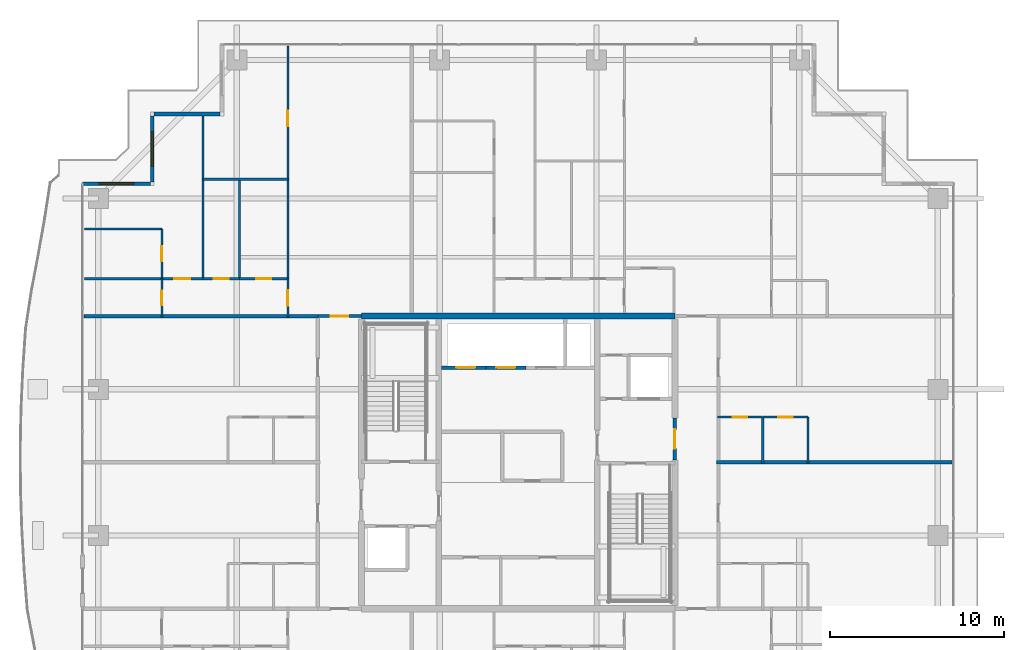
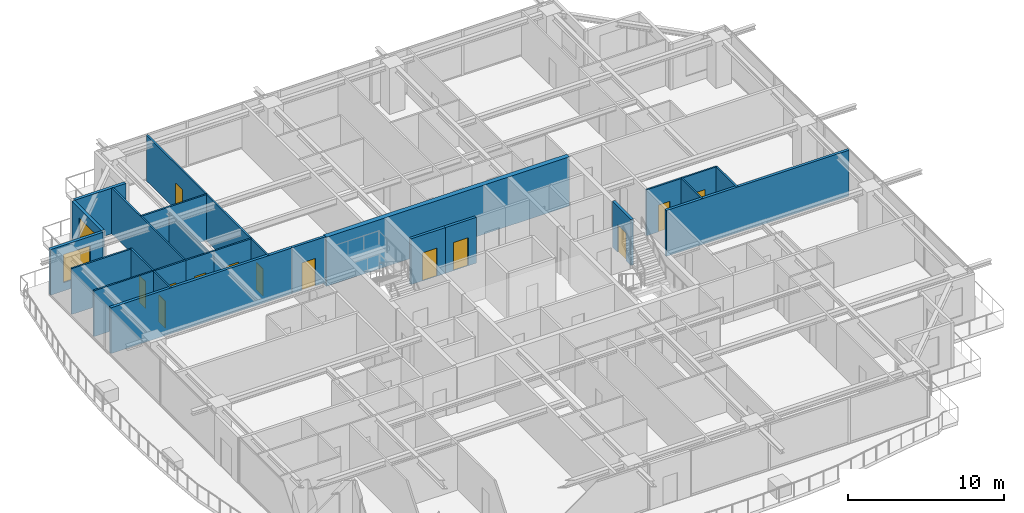
# One storey, part 27 of 38: 27 walls, 13 doors, 2 windows, 15 openings.
"""IFC4 building model written with IfcOpenShell, lengths in metres."""

from ifc_helpers import new_model, si_unit, direction, frame, frame_2d, origin, place, context, subcontext, project, spatial, rectangle, extrude, source, transform, mapped, material, layer, layer_set, type_object, element, fill, save


model = new_model("IFC4")

# Units and contexts
model_context = context("Model", 3, precision=1e-05, world=origin(), true_north=direction((0.0, 1.0)))
body_context = subcontext(model_context, "Body", "Model", "MODEL_VIEW")
ifc_project = project(units=[si_unit("LENGTHUNIT", "METRE"), si_unit("AREAUNIT", "SQUARE_METRE"), si_unit("VOLUMEUNIT", "CUBIC_METRE"), si_unit("PLANEANGLEUNIT", "RADIAN"), si_unit("MASSUNIT", "GRAM", prefix="KILO")], contexts=[model_context])

# Site, building, storey
site_placement = place(None, origin())
site = spatial("IfcSite", under=ifc_project, at=site_placement, CompositionType="ELEMENT")
building_placement = place(site_placement, origin())
building = spatial("IfcBuilding", under=site, at=building_placement, Name="Serunith Strait Residences", CompositionType="ELEMENT")
storey_placement = place(building_placement, frame((0.0, 0.0, 241.25)))
storey = spatial("IfcBuildingStorey", under=building, at=storey_placement, Name="L60", CompositionType="ELEMENT", Elevation=241.25)

# Wall
ifc_material_1 = material(Name="Pale-Champagne Aluminium Insulated Panel", Category="aluminium")
ifc_layer_1 = layer(ifc_material_1, 0.219970703125, Name="Pale-Champagne Aluminium Insulated Panel")
ifc_layer_set_1 = layer_set([ifc_layer_1], Name="Pale-Champagne Aluminium Insulated Panel")
wall_type_1 = type_object("IfcWallType", Name="EW-ALUM-220", PredefinedType="ELEMENTEDWALL", material=ifc_layer_set_1)
wall_1_placement = place(storey_placement, frame((15.2900390625, 45.199951171875, 0.0), z_axis=(0.0, 0.0, 1.0), x_axis=(-1.0, 0.0, 0.0)))
element("IfcWall", 1, at=wall_1_placement, inside=storey, type_object=wall_type_1, Name="L60 Girih Serrated Corner Wall 13", PredefinedType="ELEMENTEDWALL", context=body_context, shape_type="SweptSolid", body=[
    extrude(rectangle(XDim=3.780029296875, YDim=0.219970703125, at=frame_2d((1.89013671875, 0.0))), origin(), (0.0, 0.0, 1.0), 3.574951171875),
])

# Wall, opening, window
wall_2_placement = place(storey_placement, frame((11.39990234375, 45.090087890625, 0.0), z_axis=(0.0, 0.0, 1.0), x_axis=(0.0, -1.0, 0.0)))
wall_2 = element("IfcWall", 2, at=wall_2_placement, inside=storey, type_object=wall_type_1, Name="L60 Girih Serrated Corner Wall 14", PredefinedType="ELEMENTEDWALL", context=body_context, shape_type="SweptSolid", body=[
    extrude(rectangle(XDim=3.780029296875, YDim=0.219970703125, at=frame_2d((1.89013671875, 0.0))), origin(), (0.0, 0.0, 1.0), 3.574951171875),
])
opening_1_placement = place(wall_2_placement, frame((0.889892578125, 0.0, 0.64990234375)))
opening_1 = element("IfcOpeningElement", 3, at=opening_1_placement, cuts=wall_2, Name="Opening W-04", PredefinedType="OPENING", context=body_context, shape_type="SweptSolid", body=[
    extrude(rectangle(XDim=2.0, YDim=2.199951171875, at=frame_2d((1.0, 1.10009765625))), frame((0.0, 0.1201171875, 0.0), z_axis=(0.0, -1.0, 0.0), x_axis=(1.0, 0.0, 0.0)), (0.0, 0.0, 1.0), 0.239990234375),
])
ifc_material_2 = material(Name="Ceramic-Fritted Operable Aluminium Window Glass", Category="aluminium")
window_type = type_object("IfcWindowType", Name="WIN-C4", PartitioningType="TRIPLE_PANEL_VERTICAL", PredefinedType="WINDOW", material=ifc_material_2)
shared_shape_1 = source(origin(), body_context, "Body", "SweptSolid", [
    extrude(rectangle(XDim=2.0, YDim=2.199951171875, at=frame_2d((1.0, 1.10009765625))), frame((0.0, 0.030029296875, 0.0), z_axis=(0.0, -1.0, 0.0), x_axis=(1.0, 0.0, 0.0)), (0.0, 0.0, 1.0), 0.06005859375),
])
window_1_placement = place(opening_1_placement, origin())
window_1 = element("IfcWindow", 4, at=window_1_placement, inside=storey, type_object=window_type, Name="L60 Corner Operable Fritted Window 14", OverallHeight=2.199951171875, OverallWidth=2.0, PartitioningType="SINGLE_PANEL", PredefinedType="WINDOW", context=body_context, shape_type="MappedRepresentation", body=[
    mapped(shared_shape_1, transform((0.0, 0.0, 0.0), scale=1.0)),
])
fill(opening_1, window_1)

wall_3_placement = place(storey_placement, frame((11.2900390625, 41.199951171875, 0.0), z_axis=(0.0, 0.0, 1.0), x_axis=(-1.0, 0.0, 0.0)))
wall_3 = element("IfcWall", 5, at=wall_3_placement, inside=storey, type_object=wall_type_1, Name="L60 Girih Serrated Corner Wall 15", PredefinedType="ELEMENTEDWALL", context=body_context, shape_type="SweptSolid", body=[
    extrude(rectangle(XDim=3.89013671875, YDim=0.219970703125, at=frame_2d((1.945068359375, 0.0))), origin(), (0.0, 0.0, 1.0), 3.574951171875),
])
opening_2_placement = place(wall_3_placement, frame((0.945068359375, 0.0, 0.64990234375)))
opening_2 = element("IfcOpeningElement", 6, at=opening_2_placement, cuts=wall_3, Name="Opening W-04", PredefinedType="OPENING", context=body_context, shape_type="SweptSolid", body=[
    extrude(rectangle(XDim=2.0, YDim=2.199951171875, at=frame_2d((1.0, 1.10009765625))), frame((0.0, 0.1201171875, 0.0), z_axis=(0.0, -1.0, 0.0), x_axis=(1.0, 0.0, 0.0)), (0.0, 0.0, 1.0), 0.239990234375),
])
window_2_placement = place(opening_2_placement, origin())
window_2 = element("IfcWindow", 7, at=window_2_placement, inside=storey, type_object=window_type, Name="L60 Corner Operable Fritted Window 15", OverallHeight=2.199951171875, OverallWidth=2.0, PartitioningType="SINGLE_PANEL", PredefinedType="WINDOW", context=body_context, shape_type="MappedRepresentation", body=[
    mapped(shared_shape_1, transform((0.0, 0.0, 0.0), scale=1.0)),
])
fill(opening_2, window_2)

# Wall, opening, door
ifc_material_3 = material(Name="Fire-rated acoustic gypsum partition")
ifc_layer_2 = layer(ifc_material_3, 0.179931640625, Name="Fire-rated acoustic gypsum partition")
ifc_layer_set_2 = layer_set([ifc_layer_2], Name="Fire-rated acoustic gypsum partition")
wall_type_2 = type_object("IfcWallType", Name="IW-CORR-180", PredefinedType="PARTITIONING", material=ifc_layer_set_2)
wall_4_placement = place(storey_placement, frame((20.902099609375, 33.60009765625, 0.0), z_axis=(0.0, 0.0, 1.0), x_axis=(1.0, 0.0, 0.0)))
wall_4 = element("IfcWall", 8, at=wall_4_placement, inside=storey, type_object=wall_type_2, Name="L60 Partition Wall 028", PredefinedType="PARTITIONING", context=body_context, shape_type="SweptSolid", body=[
    extrude(rectangle(XDim=2.495849609375, YDim=0.179931640625, at=frame_2d((1.248046875, 0.0))), origin(), (0.0, 0.0, 1.0), 3.590087890625),
])
opening_3_placement = place(wall_4_placement, frame((0.748046875, 0.0, 0.0)))
opening_3 = element("IfcOpeningElement", 9, at=opening_3_placement, cuts=wall_4, Name="Opening D-APT1000", PredefinedType="OPENING", context=body_context, shape_type="SweptSolid", body=[
    extrude(rectangle(XDim=1.0, YDim=2.14990234375, at=frame_2d((0.5, 1.074951171875))), frame((0.0, 0.10009765625, 0.0), z_axis=(0.0, -1.0, 0.0), x_axis=(1.0, 0.0, 0.0)), (0.0, 0.0, 1.0), 0.199951171875),
])
ifc_material_4 = material(Name="Solid timber engineered fire door", Category="wood")
door_type_1 = type_object("IfcDoorType", Name="ID-APT-1000", OperationType="NOTDEFINED", PredefinedType="DOOR", material=ifc_material_4)
shared_shape_2 = source(origin(), body_context, "Body", "SweptSolid", [
    extrude(rectangle(XDim=1.0, YDim=2.14990234375, at=frame_2d((0.5, 1.074951171875))), frame((0.0, 0.02490234375, 0.0), z_axis=(0.0, -1.0, 0.0), x_axis=(1.0, 0.0, 0.0)), (0.0, 0.0, 1.0), 0.050048828125),
])
door_1_placement = place(opening_3_placement, origin())
door_1 = element("IfcDoor", 10, at=door_1_placement, inside=storey, type_object=door_type_1, Name="L60 Unit 03 Entrance Door", OperationType="SINGLE_SWING_RIGHT", OverallHeight=2.14990234375, OverallWidth=1.0, PredefinedType="DOOR", context=body_context, shape_type="MappedRepresentation", body=[
    mapped(shared_shape_2, transform((0.0, 0.0, 0.0), scale=1.0)),
])
fill(opening_3, door_1)

ifc_material_5 = material(Name="Lightweight steel-stud gypsum partition", Category="steel")
ifc_layer_3 = layer(ifc_material_5, 0.1201171875, Name="Lightweight steel-stud gypsum partition")
ifc_layer_set_3 = layer_set([ifc_layer_3], Name="Lightweight steel-stud gypsum partition")
wall_type_3 = type_object("IfcWallType", Name="IW-PART-120", PredefinedType="PARTITIONING", material=ifc_layer_set_3)
wall_5_placement = place(storey_placement, frame((19.179931640625, 35.75, 0.0), z_axis=(0.0, 0.0, 1.0), x_axis=(0.0, -1.0, 0.0)))
wall_5 = element("IfcWall", 11, at=wall_5_placement, inside=storey, type_object=wall_type_3, Name="L60 Partition Wall 068", PredefinedType="PARTITIONING", context=body_context, shape_type="SweptSolid", body=[
    extrude(rectangle(XDim=2.2099609375, YDim=0.1201171875, at=frame_2d((1.10498046875, 0.0))), origin(), (0.0, 0.0, 1.0), 3.590087890625),
])
opening_4_placement = place(wall_5_placement, frame((0.655029296875, 0.0, 0.0)))
opening_4 = element("IfcOpeningElement", 12, at=opening_4_placement, cuts=wall_5, Name="Opening D-RM900", PredefinedType="OPENING", context=body_context, shape_type="SweptSolid", body=[
    extrude(rectangle(XDim=0.89990234375, YDim=2.10009765625, at=frame_2d((0.449951171875, 1.050048828125))), frame((0.0, 0.070068359375, 0.0), z_axis=(0.0, -1.0, 0.0), x_axis=(1.0, 0.0, 0.0)), (0.0, 0.0, 1.0), 0.14013671875),
])
ifc_material_6 = material(Name="Engineered timber flush bedroom door", Category="wood")
door_type_2 = type_object("IfcDoorType", Name="ID-ROOM-900", OperationType="NOTDEFINED", PredefinedType="DOOR", material=ifc_material_6)
shared_shape_3 = source(origin(), body_context, "Body", "SweptSolid", [
    extrude(rectangle(XDim=0.89990234375, YDim=2.10009765625, at=frame_2d((0.449951171875, 1.050048828125))), frame((0.0, 0.02490234375, 0.0), z_axis=(0.0, -1.0, 0.0), x_axis=(1.0, 0.0, 0.0)), (0.0, 0.0, 1.0), 0.050048828125),
])
door_2_placement = place(opening_4_placement, origin())
door_2 = element("IfcDoor", 13, at=door_2_placement, inside=storey, type_object=door_type_2, Name="L60 Hall W 6003 Door", OperationType="SINGLE_SWING_LEFT", OverallHeight=2.10009765625, OverallWidth=0.89990234375, PredefinedType="DOOR", context=body_context, shape_type="MappedRepresentation", body=[
    mapped(shared_shape_3, transform((0.0, 0.0, 0.0), scale=1.0)),
])
fill(opening_4, door_2)

wall_6_placement = place(storey_placement, frame((19.179931640625, 49.10498046875, 0.0), z_axis=(0.0, 0.0, 1.0), x_axis=(0.0, -1.0, 0.0)))
wall_6 = element("IfcWall", 14, at=wall_6_placement, inside=storey, type_object=wall_type_3, Name="L60 Partition Wall 069", PredefinedType="PARTITIONING", context=body_context, shape_type="SweptSolid", body=[
    extrude(rectangle(XDim=7.64501953125, YDim=0.1201171875, at=frame_2d((3.822509765625, 0.0))), origin(), (0.0, 0.0, 1.0), 3.590087890625),
])
opening_5_placement = place(wall_6_placement, frame((3.7099609375, 0.0, 0.0)))
opening_5 = element("IfcOpeningElement", 15, at=opening_5_placement, cuts=wall_6, Name="Opening D-RM900", PredefinedType="OPENING", context=body_context, shape_type="SweptSolid", body=[
    extrude(rectangle(XDim=0.89990234375, YDim=2.10009765625, at=frame_2d((0.449951171875, 1.050048828125))), frame((0.0, 0.070068359375, 0.0), z_axis=(0.0, -1.0, 0.0), x_axis=(1.0, 0.0, 0.0)), (0.0, 0.0, 1.0), 0.14013671875),
])
door_3_placement = place(opening_5_placement, origin())
door_3 = element("IfcDoor", 16, at=door_3_placement, inside=storey, type_object=door_type_2, Name="L60 Formal Dining Room 1 6003 Door", OperationType="SINGLE_SWING_RIGHT", OverallHeight=2.10009765625, OverallWidth=0.89990234375, PredefinedType="DOOR", context=body_context, shape_type="MappedRepresentation", body=[
    mapped(shared_shape_3, transform((0.0, 0.0, 0.0), scale=1.0)),
])
fill(opening_5, door_3)

# Walls
wall_7_placement = place(storey_placement, frame((19.179931640625, 41.4580078125, 0.0), z_axis=(0.0, 0.0, 1.0), x_axis=(0.0, -1.0, 0.0)))
element("IfcWall", 17, at=wall_7_placement, inside=storey, type_object=wall_type_3, Name="L60 Partition Wall 070", PredefinedType="PARTITIONING", context=body_context, shape_type="SweptSolid", body=[
    extrude(rectangle(XDim=5.7060546875, YDim=0.1201171875, at=frame_2d((2.85302734375, 0.0))), origin(), (0.0, 0.0, 1.0), 3.590087890625),
])
wall_8_placement = place(storey_placement, frame((14.300048828125, 41.4599609375, 0.0), z_axis=(0.0, 0.0, 1.0), x_axis=(1.0, 0.0, 0.0)))
element("IfcWall", 18, at=wall_8_placement, inside=storey, type_object=wall_type_3, Name="L60 Partition Wall 071", PredefinedType="PARTITIONING", context=body_context, shape_type="SweptSolid", body=[
    extrude(rectangle(XDim=4.8798828125, YDim=0.1201171875, at=frame_2d((2.43994140625, 0.0))), origin(), (0.0, 0.0, 1.0), 3.590087890625),
])
wall_9_placement = place(storey_placement, frame((14.300048828125, 45.10498046875, 0.0), z_axis=(0.0, 0.0, 1.0), x_axis=(0.0, -1.0, 0.0)))
element("IfcWall", 19, at=wall_9_placement, inside=storey, type_object=wall_type_3, Name="L60 Partition Wall 072", PredefinedType="PARTITIONING", context=body_context, shape_type="SweptSolid", body=[
    extrude(rectangle(XDim=9.35498046875, YDim=0.1201171875, at=frame_2d((4.677490234375, 0.0))), origin(), (0.0, 0.0, 1.0), 3.590087890625),
])
wall_10_placement = place(storey_placement, frame((16.39990234375, 41.4599609375, 0.0), z_axis=(0.0, 0.0, 1.0), x_axis=(0.0, -1.0, 0.0)))
element("IfcWall", 20, at=wall_10_placement, inside=storey, type_object=wall_type_3, Name="L60 Partition Wall 073", PredefinedType="PARTITIONING", context=body_context, shape_type="SweptSolid", body=[
    extrude(rectangle(XDim=5.7099609375, YDim=0.1201171875, at=frame_2d((2.85498046875, 0.0))), origin(), (0.0, 0.0, 1.0), 3.1220703125),
])

# Wall, opening, door
wall_11_placement = place(storey_placement, frame((14.300048828125, 35.75, 0.0), z_axis=(0.0, 0.0, 1.0), x_axis=(1.0, 0.0, 0.0)))
wall_11 = element("IfcWall", 21, at=wall_11_placement, inside=storey, type_object=wall_type_3, Name="L60 Partition Wall 074", PredefinedType="PARTITIONING", context=body_context, shape_type="SweptSolid", body=[
    extrude(rectangle(XDim=2.099853515625, YDim=0.1201171875, at=frame_2d((1.0498046875, 0.0))), origin(), (0.0, 0.0, 1.0), 3.590087890625),
])
opening_6_placement = place(wall_11_placement, frame((0.625, 0.0, 0.0)))
opening_6 = element("IfcOpeningElement", 22, at=opening_6_placement, cuts=wall_11, Name="Opening D-BTH850", PredefinedType="OPENING", context=body_context, shape_type="SweptSolid", body=[
    extrude(rectangle(XDim=0.85009765625, YDim=2.10009765625, at=frame_2d((0.425048828125, 1.050048828125))), frame((0.0, 0.070068359375, 0.0), z_axis=(0.0, -1.0, 0.0), x_axis=(1.0, 0.0, 0.0)), (0.0, 0.0, 1.0), 0.14013671875),
])
ifc_material_7 = material(Name="Moisture-resistant timber bathroom door", Category="wood")
door_type_3 = type_object("IfcDoorType", Name="ID-BATH-850", OperationType="NOTDEFINED", PredefinedType="DOOR", material=ifc_material_7)
shared_shape_4 = source(origin(), body_context, "Body", "SweptSolid", [
    extrude(rectangle(XDim=0.85009765625, YDim=2.10009765625, at=frame_2d((0.425048828125, 1.050048828125))), frame((0.0, 0.02490234375, 0.0), z_axis=(0.0, -1.0, 0.0), x_axis=(1.0, 0.0, 0.0)), (0.0, 0.0, 1.0), 0.050048828125),
])
door_4_placement = place(opening_6_placement, origin())
door_4 = element("IfcDoor", 23, at=door_4_placement, inside=storey, type_object=door_type_3, Name="L60 Bathroom 6003 Door", OperationType="SINGLE_SWING_LEFT", OverallHeight=2.10009765625, OverallWidth=0.85009765625, PredefinedType="DOOR", context=body_context, shape_type="MappedRepresentation", body=[
    mapped(shared_shape_4, transform((0.0, 0.0, 0.0), scale=1.0)),
])
fill(opening_6, door_4)

wall_12_placement = place(storey_placement, frame((16.402099609375, 35.75, 0.0), z_axis=(0.0, 0.0, 1.0), x_axis=(1.0, 0.0, 0.0)))
wall_12 = element("IfcWall", 24, at=wall_12_placement, inside=storey, type_object=wall_type_3, Name="L60 Partition Wall 075", PredefinedType="PARTITIONING", context=body_context, shape_type="SweptSolid", body=[
    extrude(rectangle(XDim=2.77783203125, YDim=0.1201171875, at=frame_2d((1.388916015625, 0.0))), origin(), (0.0, 0.0, 1.0), 3.590087890625),
])
opening_7_placement = place(wall_12_placement, frame((0.964111328125, 0.0, 0.0)))
opening_7 = element("IfcOpeningElement", 25, at=opening_7_placement, cuts=wall_12, Name="Opening D-RM850", PredefinedType="OPENING", context=body_context, shape_type="SweptSolid", body=[
    extrude(rectangle(XDim=0.85009765625, YDim=2.10009765625, at=frame_2d((0.425048828125, 1.050048828125))), frame((0.0, 0.070068359375, 0.0), z_axis=(0.0, -1.0, 0.0), x_axis=(1.0, 0.0, 0.0)), (0.0, 0.0, 1.0), 0.14013671875),
])
ifc_material_8 = material(Name="Engineered timber flush study and kitchen door", Category="wood")
door_type_4 = type_object("IfcDoorType", Name="ID-ROOM-850", OperationType="NOTDEFINED", PredefinedType="DOOR", material=ifc_material_8)
door_5_placement = place(opening_7_placement, origin())
door_5 = element("IfcDoor", 26, at=door_5_placement, inside=storey, type_object=door_type_4, Name="L60 Kitchen 6003 Door", OperationType="SINGLE_SWING_RIGHT", OverallHeight=2.10009765625, OverallWidth=0.85009765625, PredefinedType="DOOR", context=body_context, shape_type="MappedRepresentation", body=[
    mapped(shared_shape_4, transform((0.0, 0.0, 0.0), scale=1.0)),
])
fill(opening_7, door_5)

wall_13_placement = place(storey_placement, frame((11.949951171875, 35.75, 0.0), z_axis=(0.0, 0.0, 1.0), x_axis=(1.0, 0.0, 0.0)))
wall_13 = element("IfcWall", 27, at=wall_13_placement, inside=storey, type_object=wall_type_3, Name="L60 Partition Wall 076", PredefinedType="PARTITIONING", context=body_context, shape_type="SweptSolid", body=[
    extrude(rectangle(XDim=2.34814453125, YDim=0.1201171875, at=frame_2d((1.174072265625, 0.0))), origin(), (0.0, 0.0, 1.0), 3.590087890625),
])
opening_8_placement = place(wall_13_placement, frame((0.72412109375, 0.0, 0.0)))
opening_8 = element("IfcOpeningElement", 28, at=opening_8_placement, cuts=wall_13, Name="Opening D-RM900", PredefinedType="OPENING", context=body_context, shape_type="SweptSolid", body=[
    extrude(rectangle(XDim=0.89990234375, YDim=2.10009765625, at=frame_2d((0.449951171875, 1.050048828125))), frame((0.0, 0.070068359375, 0.0), z_axis=(0.0, -1.0, 0.0), x_axis=(1.0, 0.0, 0.0)), (0.0, 0.0, 1.0), 0.14013671875),
])
door_6_placement = place(opening_8_placement, origin())
door_6 = element("IfcDoor", 29, at=door_6_placement, inside=storey, type_object=door_type_2, Name="L60 Master Bedroom W 6003 Door", OperationType="SINGLE_SWING_LEFT", OverallHeight=2.10009765625, OverallWidth=0.89990234375, PredefinedType="DOOR", context=body_context, shape_type="MappedRepresentation", body=[
    mapped(shared_shape_3, transform((0.0, 0.0, 0.0), scale=1.0)),
])
fill(opening_8, door_6)

# Walls
wall_14_placement = place(storey_placement, frame((7.4951171875, 38.60693359375, 0.0), z_axis=(0.0, 0.0, 1.0), x_axis=(1.0, 0.0, 0.0)))
element("IfcWall", 30, at=wall_14_placement, inside=storey, type_object=wall_type_3, Name="L60 Partition Wall 077", PredefinedType="PARTITIONING", context=body_context, shape_type="SweptSolid", body=[
    extrude(rectangle(XDim=4.454833984375, YDim=0.1201171875, at=frame_2d((2.2275390625, 0.0))), origin(), (0.0, 0.0, 1.0), 3.590087890625),
])
wall_15_placement = place(storey_placement, frame((7.4951171875, 35.75, 0.0), z_axis=(0.0, 0.0, 1.0), x_axis=(1.0, 0.0, 0.0)))
element("IfcWall", 31, at=wall_15_placement, inside=storey, type_object=wall_type_3, Name="L60 Partition Wall 078", PredefinedType="PARTITIONING", context=body_context, shape_type="SweptSolid", body=[
    extrude(rectangle(XDim=4.452880859375, YDim=0.1201171875, at=frame_2d((2.2265625, 0.0))), origin(), (0.0, 0.0, 1.0), 3.590087890625),
])

# Wall, opening, door
wall_16_placement = place(storey_placement, frame((11.949951171875, 38.60693359375, 0.0), z_axis=(0.0, 0.0, 1.0), x_axis=(0.0, -1.0, 0.0)))
wall_16 = element("IfcWall", 32, at=wall_16_placement, inside=storey, type_object=wall_type_3, Name="L60 Partition Wall 079", PredefinedType="PARTITIONING", context=body_context, shape_type="SweptSolid", body=[
    extrude(rectangle(XDim=2.85693359375, YDim=0.1201171875, at=frame_2d((1.428466796875, 0.0))), origin(), (0.0, 0.0, 1.0), 3.590087890625),
])
opening_9_placement = place(wall_16_placement, frame((1.0029296875, 0.0, 0.0)))
opening_9 = element("IfcOpeningElement", 33, at=opening_9_placement, cuts=wall_16, Name="Opening D-BTH850", PredefinedType="OPENING", context=body_context, shape_type="SweptSolid", body=[
    extrude(rectangle(XDim=0.85009765625, YDim=2.10009765625, at=frame_2d((0.425048828125, 1.050048828125))), frame((0.0, 0.070068359375, 0.0), z_axis=(0.0, -1.0, 0.0), x_axis=(1.0, 0.0, 0.0)), (0.0, 0.0, 1.0), 0.14013671875),
])
door_7_placement = place(opening_9_placement, origin())
door_7 = element("IfcDoor", 34, at=door_7_placement, inside=storey, type_object=door_type_3, Name="L60 En-suite Bathroom W 6003 Door", OperationType="SINGLE_SWING_RIGHT", OverallHeight=2.10009765625, OverallWidth=0.85009765625, PredefinedType="DOOR", context=body_context, shape_type="MappedRepresentation", body=[
    mapped(shared_shape_4, transform((0.0, 0.0, 0.0), scale=1.0)),
])
fill(opening_9, door_7)

wall_17_placement = place(storey_placement, frame((11.949951171875, 35.748046875, 0.0), z_axis=(0.0, 0.0, 1.0), x_axis=(0.0, -1.0, 0.0)))
wall_17 = element("IfcWall", 35, at=wall_17_placement, inside=storey, type_object=wall_type_3, Name="L60 Partition Wall 080", PredefinedType="PARTITIONING", context=body_context, shape_type="SweptSolid", body=[
    extrude(rectangle(XDim=2.2080078125, YDim=0.1201171875, at=frame_2d((1.10400390625, 0.0))), origin(), (0.0, 0.0, 1.0), 3.590087890625),
])
opening_10_placement = place(wall_17_placement, frame((0.678955078125, 0.0, 0.0)))
opening_10 = element("IfcOpeningElement", 36, at=opening_10_placement, cuts=wall_17, Name="Opening D-RM850", PredefinedType="OPENING", context=body_context, shape_type="SweptSolid", body=[
    extrude(rectangle(XDim=0.85009765625, YDim=2.10009765625, at=frame_2d((0.425048828125, 1.050048828125))), frame((0.0, 0.070068359375, 0.0), z_axis=(0.0, -1.0, 0.0), x_axis=(1.0, 0.0, 0.0)), (0.0, 0.0, 1.0), 0.14013671875),
])
door_8_placement = place(opening_10_placement, origin())
door_8 = element("IfcDoor", 37, at=door_8_placement, inside=storey, type_object=door_type_4, Name="L60 Wardrobe W 6003 Door", OperationType="SINGLE_SWING_LEFT", OverallHeight=2.10009765625, OverallWidth=0.85009765625, PredefinedType="DOOR", context=body_context, shape_type="MappedRepresentation", body=[
    mapped(shared_shape_4, transform((0.0, 0.0, 0.0), scale=1.0)),
])
fill(opening_10, door_8)

wall_18_placement = place(storey_placement, frame((49.050048828125, 27.800048828125, 0.0), z_axis=(0.0, 0.0, 1.0), x_axis=(-1.0, 0.0, 0.0)))
wall_18 = element("IfcWall", 38, at=wall_18_placement, inside=storey, type_object=wall_type_3, Name="L60 Partition Wall 115", PredefinedType="PARTITIONING", context=body_context, shape_type="SweptSolid", body=[
    extrude(rectangle(XDim=2.60009765625, YDim=0.1201171875, at=frame_2d((1.300048828125, 0.0))), origin(), (0.0, 0.0, 1.0), 3.590087890625),
])
opening_11_placement = place(wall_18_placement, frame((0.875, 0.0, 0.0)))
opening_11 = element("IfcOpeningElement", 39, at=opening_11_placement, cuts=wall_18, Name="Opening D-RM850", PredefinedType="OPENING", context=body_context, shape_type="SweptSolid", body=[
    extrude(rectangle(XDim=0.85009765625, YDim=2.10009765625, at=frame_2d((0.425048828125, 1.050048828125))), frame((0.0, 0.070068359375, 0.0), z_axis=(0.0, -1.0, 0.0), x_axis=(1.0, 0.0, 0.0)), (0.0, 0.0, 1.0), 0.14013671875),
])
door_9_placement = place(opening_11_placement, origin())
door_9 = element("IfcDoor", 40, at=door_9_placement, inside=storey, type_object=door_type_4, Name="L60 Kitchen 6008 Door", OperationType="SINGLE_SWING_LEFT", OverallHeight=2.10009765625, OverallWidth=0.85009765625, PredefinedType="DOOR", context=body_context, shape_type="MappedRepresentation", body=[
    mapped(shared_shape_4, transform((0.0, 0.0, 0.0), scale=1.0)),
])
fill(opening_11, door_9)

wall_19_placement = place(storey_placement, frame((46.447998046875, 27.800048828125, 0.0), z_axis=(0.0, 0.0, 1.0), x_axis=(-1.0, 0.0, 0.0)))
wall_19 = element("IfcWall", 41, at=wall_19_placement, inside=storey, type_object=wall_type_3, Name="L60 Partition Wall 116", PredefinedType="PARTITIONING", context=body_context, shape_type="SweptSolid", body=[
    extrude(rectangle(XDim=2.60791015625, YDim=0.1201171875, at=frame_2d((1.303955078125, 0.0))), origin(), (0.0, 0.0, 1.0), 3.590087890625),
])
opening_12_placement = place(wall_19_placement, frame((0.87890625, 0.0, 0.0)))
opening_12 = element("IfcOpeningElement", 42, at=opening_12_placement, cuts=wall_19, Name="Opening D-BTH850", PredefinedType="OPENING", context=body_context, shape_type="SweptSolid", body=[
    extrude(rectangle(XDim=0.85009765625, YDim=2.10009765625, at=frame_2d((0.425048828125, 1.050048828125))), frame((0.0, 0.070068359375, 0.0), z_axis=(0.0, -1.0, 0.0), x_axis=(1.0, 0.0, 0.0)), (0.0, 0.0, 1.0), 0.14013671875),
])
door_10_placement = place(opening_12_placement, origin())
door_10 = element("IfcDoor", 43, at=door_10_placement, inside=storey, type_object=door_type_3, Name="L60 Bathroom 6008 Door", OperationType="SINGLE_SWING_RIGHT", OverallHeight=2.10009765625, OverallWidth=0.85009765625, PredefinedType="DOOR", context=body_context, shape_type="MappedRepresentation", body=[
    mapped(shared_shape_4, transform((0.0, 0.0, 0.0), scale=1.0)),
])
fill(opening_12, door_10)

# Walls
for number, where, z_axis, x_axis, name in (
    (44, (46.449951171875, 25.139892578125, 0.0), (0.0, 0.0, 1.0), (0.0, 1.0, 0.0), "L60 Partition Wall 117"),
    (45, (49.050048828125, 25.139892578125, 0.0), (0.0, 0.0, 1.0), (0.0, 1.0, 0.0), "L60 Partition Wall 118"),
):
    element("IfcWall", number, at=place(storey_placement, frame(where, z_axis=z_axis, x_axis=x_axis)), inside=storey, type_object=wall_type_3, Name=name, PredefinedType="PARTITIONING", context=body_context, shape_type="SweptSolid", body=[
        extrude(rectangle(XDim=2.66015625, YDim=0.1201171875, at=frame_2d((1.330078125, 0.0))), origin(), (0.0, 0.0, 1.0), 3.590087890625),
    ])
ifc_material_9 = material(Name="Twin-stud acoustic gypsum board partition")
ifc_layer_4 = layer(ifc_material_9, 0.199951171875, Name="Twin-stud acoustic gypsum board partition")
ifc_layer_set_4 = layer_set([ifc_layer_4], Name="Twin-stud acoustic gypsum board partition")
wall_type_4 = type_object("IfcWallType", Name="IW-PARTY-200", PredefinedType="PARTITIONING", material=ifc_layer_set_4)
wall_20_placement = place(storey_placement, frame((43.780029296875, 25.199951171875, 0.0), z_axis=(0.0, 0.0, 1.0), x_axis=(1.0, 0.0, 0.0)))
element("IfcWall", 46, at=wall_20_placement, inside=storey, type_object=wall_type_4, Name="L60 Partition Wall 022", PredefinedType="PARTITIONING", context=body_context, shape_type="SweptSolid", body=[
    extrude(rectangle(XDim=13.5380859375, YDim=0.199951171875, at=frame_2d((6.76904296875, 0.0))), origin(), (0.0, 0.0, 1.0), 3.590087890625),
])
wall_21_placement = place(storey_placement, frame((7.48193359375, 33.60009765625, 0.0), z_axis=(0.0, 0.0, 1.0), x_axis=(1.0, 0.0, 0.0)))
element("IfcWall", 47, at=wall_21_placement, inside=storey, type_object=wall_type_4, Name="L60 Partition Wall 025", PredefinedType="PARTITIONING", context=body_context, shape_type="SweptSolid", body=[
    extrude(rectangle(XDim=13.41796875, YDim=0.199951171875, at=frame_2d((6.708984375, 0.0))), origin(), (0.0, 0.0, 1.0), 3.590087890625),
])

# Wall, opening, door
ifc_material_10 = material(Name="Autoclaved aerated concrete blockwork", Category="masonry")
ifc_layer_5 = layer(ifc_material_10, 0.199951171875, Name="Autoclaved aerated concrete blockwork")
ifc_layer_set_5 = layer_set([ifc_layer_5], Name="Autoclaved aerated concrete blockwork")
wall_type_5 = type_object("IfcWallType", Name="IW-SHAFT-200", PredefinedType="STANDARD", material=ifc_layer_set_5)
wall_22_placement = place(storey_placement, frame((28.0, 30.64990234375, 0.0), z_axis=(0.0, 0.0, 1.0), x_axis=(1.0, 0.0, 0.0)))
wall_22 = element("IfcWall", 48, at=wall_22_placement, inside=storey, type_object=wall_type_5, Name="L60 PL-7 South Shaft Wall", PredefinedType="STANDARD", context=body_context, shape_type="SweptSolid", body=[
    extrude(rectangle(XDim=2.550048828125, YDim=0.199951171875, at=frame_2d((1.27490234375, 0.0))), origin(), (0.0, 0.0, 1.0), 3.590087890625),
])
opening_13_placement = place(wall_22_placement, frame((0.85009765625, 0.0, 0.0)))
opening_13 = element("IfcOpeningElement", 49, at=opening_13_placement, cuts=wall_22, Name="Opening LD-1100", PredefinedType="OPENING", context=body_context, shape_type="SweptSolid", body=[
    extrude(rectangle(XDim=1.10009765625, YDim=2.199951171875, at=frame_2d((0.550048828125, 1.10009765625))), frame((0.0, 0.10986328125, 0.0), z_axis=(0.0, -1.0, 0.0), x_axis=(1.0, 0.0, 0.0)), (0.0, 0.0, 1.0), 0.219970703125),
])
ifc_material_11 = material(Name="Pale-champagne stainless landing door")
door_type_5 = type_object("IfcDoorType", Name="LD-LIFT-1100", OperationType="DOUBLE_DOOR_SLIDING", PredefinedType="DOOR", material=ifc_material_11)
shared_shape_5 = source(origin(), body_context, "Body", "SweptSolid", [
    extrude(rectangle(XDim=1.10009765625, YDim=2.199951171875, at=frame_2d((0.550048828125, 1.10009765625))), frame((0.0, 0.02490234375, 0.0), z_axis=(0.0, -1.0, 0.0), x_axis=(1.0, 0.0, 0.0)), (0.0, 0.0, 1.0), 0.050048828125),
])
door_11_placement = place(opening_13_placement, origin())
door_11 = element("IfcDoor", 50, at=door_11_placement, inside=storey, type_object=door_type_5, Name="L60 PL-7 Landing Door", OperationType="DOUBLE_DOOR_SLIDING", OverallHeight=2.199951171875, OverallWidth=1.10009765625, PredefinedType="DOOR", context=body_context, shape_type="MappedRepresentation", body=[
    mapped(shared_shape_5, transform((0.0, 0.0, 0.0), scale=1.0)),
])
fill(opening_13, door_11)

wall_23_placement = place(storey_placement, frame((30.550048828125, 30.64990234375, 0.0), z_axis=(0.0, 0.0, 1.0), x_axis=(1.0, 0.0, 0.0)))
wall_23 = element("IfcWall", 51, at=wall_23_placement, inside=storey, type_object=wall_type_5, Name="L60 PL-8 South Shaft Wall", PredefinedType="STANDARD", context=body_context, shape_type="SweptSolid", body=[
    extrude(rectangle(XDim=2.300048828125, YDim=0.199951171875, at=frame_2d((1.14990234375, 0.0))), origin(), (0.0, 0.0, 1.0), 3.590087890625),
])
opening_14_placement = place(wall_23_placement, frame((0.60009765625, 0.0, 0.0)))
opening_14 = element("IfcOpeningElement", 52, at=opening_14_placement, cuts=wall_23, Name="Opening LD-1100", PredefinedType="OPENING", context=body_context, shape_type="SweptSolid", body=[
    extrude(rectangle(XDim=1.10009765625, YDim=2.199951171875, at=frame_2d((0.550048828125, 1.10009765625))), frame((0.0, 0.10986328125, 0.0), z_axis=(0.0, -1.0, 0.0), x_axis=(1.0, 0.0, 0.0)), (0.0, 0.0, 1.0), 0.219970703125),
])
door_12_placement = place(opening_14_placement, origin())
door_12 = element("IfcDoor", 53, at=door_12_placement, inside=storey, type_object=door_type_5, Name="L60 PL-8 Landing Door", OperationType="DOUBLE_DOOR_SLIDING", OverallHeight=2.199951171875, OverallWidth=1.10009765625, PredefinedType="DOOR", context=body_context, shape_type="MappedRepresentation", body=[
    mapped(shared_shape_5, transform((0.0, 0.0, 0.0), scale=1.0)),
])
fill(opening_14, door_12)

wall_24_placement = place(storey_placement, frame((41.39990234375, 25.35205078125, 0.0), z_axis=(0.0, 0.0, 1.0), x_axis=(0.0, 1.0, 0.0)))
wall_24 = element("IfcWall", 54, at=wall_24_placement, inside=storey, type_object=wall_type_5, Name="L60 Partition Wall 008", PredefinedType="STANDARD", context=body_context, shape_type="SweptSolid", body=[
    extrude(rectangle(XDim=2.39599609375, YDim=0.199951171875, at=frame_2d((1.197998046875, 0.0))), origin(), (0.0, 0.0, 1.0), 3.590087890625),
])
opening_15_placement = place(wall_24_placement, frame((0.64794921875, 0.0, 0.0)))
opening_15 = element("IfcOpeningElement", 55, at=opening_15_placement, cuts=wall_24, Name="Opening FD-FFL", PredefinedType="OPENING", context=body_context, shape_type="SweptSolid", body=[
    extrude(rectangle(XDim=1.10009765625, YDim=2.14990234375, at=frame_2d((0.550048828125, 1.074951171875))), frame((0.0, 0.10986328125, 0.0), z_axis=(0.0, -1.0, 0.0), x_axis=(1.0, 0.0, 0.0)), (0.0, 0.0, 1.0), 0.219970703125),
])
ifc_material_12 = material(Name="Glazed steel smoke-lobby fire door", Category="steel")
door_type_6 = type_object("IfcDoorType", Name="FD-FFL-1100", OperationType="NOTDEFINED", PredefinedType="DOOR", material=ifc_material_12)
shared_shape_6 = source(origin(), body_context, "Body", "SweptSolid", [
    extrude(rectangle(XDim=1.10009765625, YDim=2.14990234375, at=frame_2d((0.550048828125, 1.074951171875))), frame((0.0, 0.02490234375, 0.0), z_axis=(0.0, -1.0, 0.0), x_axis=(1.0, 0.0, 0.0)), (0.0, 0.0, 1.0), 0.050048828125),
])
door_13_placement = place(opening_15_placement, origin())
door_13 = element("IfcDoor", 56, at=door_13_placement, inside=storey, type_object=door_type_6, Name="L60 FFL-2 Corridor Fire Door", OperationType="SINGLE_SWING_RIGHT", OverallHeight=2.14990234375, OverallWidth=1.10009765625, PredefinedType="DOOR", context=body_context, shape_type="MappedRepresentation", body=[
    mapped(shared_shape_6, transform((0.0, 0.0, 0.0), scale=1.0)),
])
fill(opening_15, door_13)

# Wall
ifc_material_13 = material(Name="Concrete C60/75", Category="concrete")
ifc_layer_6 = layer(ifc_material_13, 0.35009765625, Name="Concrete C60/75")
ifc_layer_set_6 = layer_set([ifc_layer_6], Name="Concrete C60/75")
wall_type_6 = type_object("IfcWallType", Name="SW-350-C60", PredefinedType="SHEAR", material=ifc_layer_set_6)
wall_25_placement = place(storey_placement, frame((41.39990234375, 33.60009765625, -0.260009765625), z_axis=(0.0, 0.0, 1.0), x_axis=(-1.0, 0.0, 0.0)))
element("IfcWall", 57, at=wall_25_placement, inside=storey, type_object=wall_type_6, Name="L60 Core North Shear Wall", PredefinedType="SHEAR", context=body_context, shape_type="SweptSolid", body=[
    extrude(rectangle(XDim=18.0, YDim=0.35009765625, at=frame_2d((9.0, 0.0))), origin(), (0.0, 0.0, 1.0), 3.847900390625),
])

save(model, "model.ifc")
